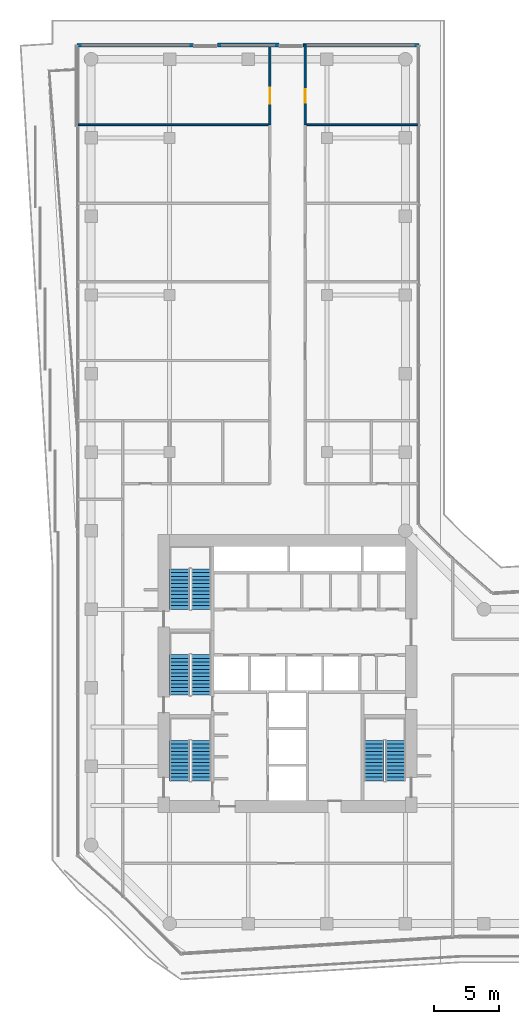
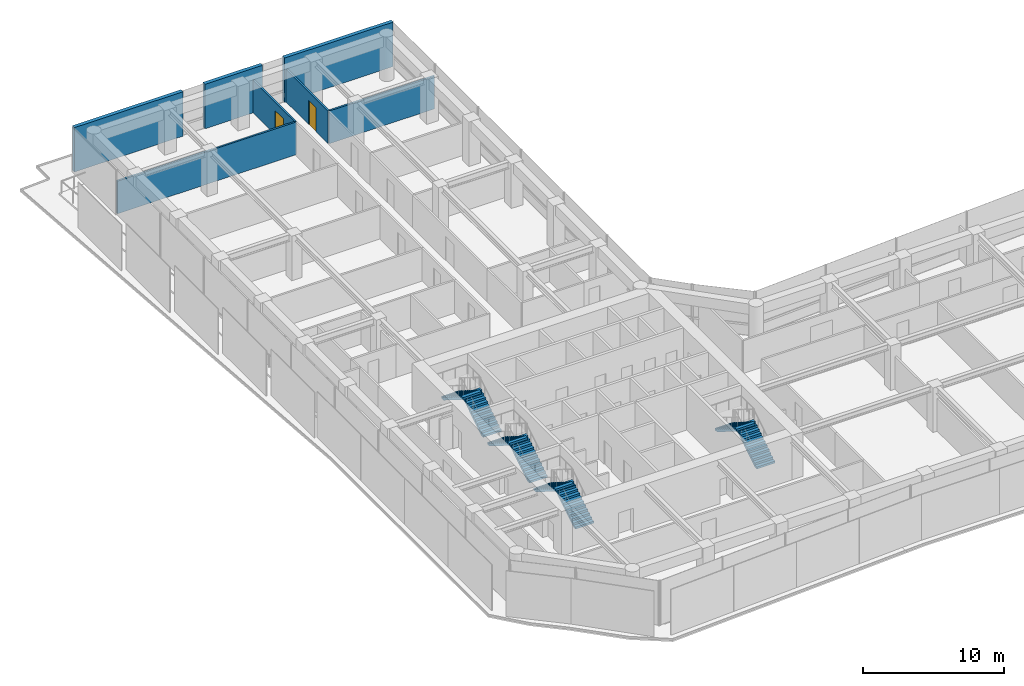
# One storey, part 27 of 29: 8 stair flights, 7 walls, 2 doors, 2 openings, 4 elements without a shape of their own.
"""IFC4 building model written with IfcOpenShell, lengths in metres."""

from ifc_helpers import new_model, si_unit, direction, frame, frame_2d, origin, place, context, subcontext, project, spatial, polyline, rectangle, outline, extrude, material, layer, layer_set, type_object, element, fill, aggregate, save


model = new_model("IFC4")

# Units and contexts
model_context = context("Model", 3, precision=1e-05, world=origin(), true_north=direction((0.0, 1.0)))
body_context = subcontext(model_context, "Body", "Model", "MODEL_VIEW")
ifc_project = project(units=[si_unit("LENGTHUNIT", "METRE"), si_unit("AREAUNIT", "SQUARE_METRE"), si_unit("VOLUMEUNIT", "CUBIC_METRE"), si_unit("PLANEANGLEUNIT", "RADIAN"), si_unit("MASSUNIT", "GRAM", prefix="KILO")], contexts=[model_context])

# Site, building, storey
site_placement = place(None, origin())
site = spatial("IfcSite", under=ifc_project, at=site_placement, CompositionType="ELEMENT")
building_placement = place(site_placement, origin())
building = spatial("IfcBuilding", under=site, at=building_placement, Name="Welwitschia Terrace Campus", CompositionType="ELEMENT")
storey_placement = place(building_placement, frame((0.0, 0.0, 66.800048828125)))
storey = spatial("IfcBuildingStorey", under=building, at=storey_placement, Name="L15", CompositionType="ELEMENT", Elevation=66.800048828125)

# Wall
ifc_material_1 = material(Name="Gypsum board on steel studs", Category="steel")
ifc_layer_1 = layer(ifc_material_1, 0.14990234375)
ifc_layer_set_1 = layer_set([ifc_layer_1], Name="Gypsum board on steel studs")
wall_type_1 = type_object("IfcWallType", Name="Corridor partition 150 EI 30", PredefinedType="PARTITIONING", material=ifc_layer_set_1)
wall_1_placement = place(storey_placement, frame((-0.992919921875, 57.0, 0.0), z_axis=(0.0, 0.0, 1.0), x_axis=(1.0, 0.0, 0.0)))
element("IfcWall", 1, at=wall_1_placement, inside=storey, type_object=wall_type_1, Name="Partition", PredefinedType="PARTITIONING", context=body_context, shape_type="SweptSolid", body=[
    extrude(rectangle(XDim=14.642822265625, YDim=0.14990234375, at=frame_2d((7.3212890625, 0.0))), origin(), (0.0, 0.0, 1.0), 2.829833984375),
])

# Wall, opening, door
wall_2_placement = place(storey_placement, frame((13.64990234375, 57.0, 0.0), z_axis=(0.0, 0.0, 1.0), x_axis=(0.0, 1.0, 0.0)))
wall_2 = element("IfcWall", 2, at=wall_2_placement, inside=storey, type_object=wall_type_1, Name="Partition", PredefinedType="PARTITIONING", context=body_context, shape_type="SweptSolid", body=[
    extrude(rectangle(XDim=6.117919921875, YDim=0.14990234375, at=frame_2d((3.05908203125, 0.0))), origin(), (0.0, 0.0, 1.0), 2.829833984375),
])
opening_1_placement = place(wall_2_placement, frame((1.610107421875, 0.0, 0.0)))
opening_1 = element("IfcOpeningElement", 3, at=opening_1_placement, cuts=wall_2, Name="Opening DI12", PredefinedType="OPENING", context=body_context, shape_type="SweptSolid", body=[
    extrude(rectangle(XDim=1.199951171875, YDim=2.10009765625, at=frame_2d((0.60009765625, 1.050048828125))), frame((0.0, 0.0849609375, 0.0), z_axis=(0.0, -1.0, 0.0), x_axis=(1.0, 0.0, 0.0)), (0.0, 0.0, 1.0), 0.169921875),
])
ifc_material_2 = material(Name="Timber veneered door", Category="wood")
door_type_1 = type_object("IfcDoorType", Name="Interior door DI12", OperationType="NOTDEFINED", PredefinedType="DOOR", material=ifc_material_2)
door_1_placement = place(opening_1_placement, origin())
door_1 = element("IfcDoor", 4, at=door_1_placement, inside=storey, type_object=door_type_1, Name="Door L15 342", OperationType="SINGLE_SWING_LEFT", OverallHeight=2.10009765625, OverallWidth=1.199951171875, PredefinedType="DOOR", context=body_context, shape_type="SweptSolid", body=[
    extrude(rectangle(XDim=1.199951171875, YDim=2.10009765625, at=frame_2d((0.60009765625, 1.050048828125))), frame((0.0, 0.02490234375, 0.0), z_axis=(0.0, -1.0, 0.0), x_axis=(1.0, 0.0, 0.0)), (0.0, 0.0, 1.0), 0.050048828125),
])
fill(opening_1, door_1)

# Wall
wall_3_placement = place(storey_placement, frame((16.35009765625, 57.0, 0.0), z_axis=(0.0, 0.0, 1.0), x_axis=(1.0, 0.0, 0.0)))
element("IfcWall", 5, at=wall_3_placement, inside=storey, type_object=wall_type_1, Name="Partition", PredefinedType="PARTITIONING", context=body_context, shape_type="SweptSolid", body=[
    extrude(rectangle(XDim=8.642822265625, YDim=0.14990234375, at=frame_2d((4.3212890625, 0.0))), origin(), (0.0, 0.0, 1.0), 2.829833984375),
])

# Wall, opening, door
wall_4_placement = place(storey_placement, frame((16.35009765625, 63.117919921875, 0.0), z_axis=(0.0, 0.0, 1.0), x_axis=(0.0, -1.0, 0.0)))
wall_4 = element("IfcWall", 6, at=wall_4_placement, inside=storey, type_object=wall_type_1, Name="Partition", PredefinedType="PARTITIONING", context=body_context, shape_type="SweptSolid", body=[
    extrude(rectangle(XDim=6.117919921875, YDim=0.14990234375, at=frame_2d((3.05908203125, 0.0))), origin(), (0.0, 0.0, 1.0), 2.829833984375),
])
opening_2_placement = place(wall_4_placement, frame((3.41796875, 0.0, 0.0)))
opening_2 = element("IfcOpeningElement", 7, at=opening_2_placement, cuts=wall_4, Name="Opening DI10", PredefinedType="OPENING", context=body_context, shape_type="SweptSolid", body=[
    extrude(rectangle(XDim=1.0, YDim=2.10009765625, at=frame_2d((0.5, 1.050048828125))), frame((0.0, 0.0849609375, 0.0), z_axis=(0.0, -1.0, 0.0), x_axis=(1.0, 0.0, 0.0)), (0.0, 0.0, 1.0), 0.169921875),
])
ifc_material_3 = material(Name="Timber veneered door", Category="wood")
door_type_2 = type_object("IfcDoorType", Name="Interior door DI10", OperationType="NOTDEFINED", PredefinedType="DOOR", material=ifc_material_3)
door_2_placement = place(opening_2_placement, origin())
door_2 = element("IfcDoor", 8, at=door_2_placement, inside=storey, type_object=door_type_2, Name="Door L15 346", OperationType="SINGLE_SWING_LEFT", OverallHeight=2.10009765625, OverallWidth=1.0, PredefinedType="DOOR", context=body_context, shape_type="SweptSolid", body=[
    extrude(rectangle(XDim=1.0, YDim=2.10009765625, at=frame_2d((0.5, 1.050048828125))), frame((0.0, 0.02490234375, 0.0), z_axis=(0.0, -1.0, 0.0), x_axis=(1.0, 0.0, 0.0)), (0.0, 0.0, 1.0), 0.050048828125),
])
fill(opening_2, door_2)

# Walls
ifc_material_4 = material(Name="Concrete C40/50", Category="concrete")
ifc_layer_2 = layer(ifc_material_4, 0.300048828125)
ifc_layer_set_2 = layer_set([ifc_layer_2], Name="Concrete C40/50")
wall_type_2 = type_object("IfcWallType", Name="Mass wall 300", PredefinedType="SOLIDWALL", material=ifc_layer_set_2)
wall_5_placement = place(storey_placement, frame((25.05810546875, 63.07373046875, 0.0), z_axis=(0.0, 0.0, 1.0), x_axis=(-1.0, 0.0, 0.0)))
element("IfcWall", 9, at=wall_5_placement, inside=storey, type_object=wall_type_2, Name="Mass wall L15.11.0", PredefinedType="SOLIDWALL", context=body_context, shape_type="SweptSolid", body=[
    extrude(rectangle(XDim=8.8935546875, YDim=0.300048828125, at=frame_2d((4.44677734375, 0.0))), origin(), (0.0, 0.0, 1.0), 3.849853515625),
])
wall_6_placement = place(storey_placement, frame((14.364501953125, 63.080078125, 0.0), z_axis=(0.0, 0.0, 1.0), x_axis=(-1.0, 0.0, 0.0)))
element("IfcWall", 10, at=wall_6_placement, inside=storey, type_object=wall_type_2, Name="Mass wall L15.11.1", PredefinedType="SOLIDWALL", context=body_context, shape_type="SweptSolid", body=[
    extrude(rectangle(XDim=4.72900390625, YDim=0.300048828125, at=frame_2d((2.364501953125, 0.0))), origin(), (0.0, 0.0, 1.0), 3.849853515625),
])
wall_7_placement = place(storey_placement, frame((7.83544921875, 63.07373046875, 0.0), z_axis=(0.0, 0.0, 1.0), x_axis=(-1.0, 0.0, 0.0)))
element("IfcWall", 11, at=wall_7_placement, inside=storey, type_object=wall_type_2, Name="Mass wall L15.11.2", PredefinedType="SOLIDWALL", context=body_context, shape_type="SweptSolid", body=[
    extrude(rectangle(XDim=8.8935546875, YDim=0.300048828125, at=frame_2d((4.44677734375, 0.0))), origin(), (0.0, 0.0, 1.0), 3.849853515625),
])

# Stair, stair flights
ifc_material_5 = material(Name="Concrete C40/50", Category="concrete")
stair_type = type_object("IfcStairType", Name="Stair 24R 175 W1500", PredefinedType="HALF_TURN_STAIR", material=ifc_material_5)
stair_1_placement = place(storey_placement, origin())
stair_1 = element("IfcStair", 12, at=stair_1_placement, inside=storey, type_object=stair_type, Name="L15 Exit stair S1", PredefinedType="HALF_TURN_STAIR")
ifc_material_6 = material(Name="Concrete C40/50", Category="concrete")
stair_flight_type = type_object("IfcStairFlightType", Name="Stair flight 24R 175 W1500", PredefinedType="STRAIGHT", material=ifc_material_6)
stair_flight_1_placement = place(storey_placement, frame((8.39990234375, 6.89990234375, 0.0), z_axis=(0.0, 0.0, 1.0), x_axis=(0.0, 1.0, 0.0)))
stair_flight_1 = element("IfcStairFlight", 13, at=stair_flight_1_placement, type_object=stair_flight_type, Name="S1 flight 1", NumberOfRisers=12, NumberOfTreads=11, PredefinedType="STRAIGHT", RiserHeight=0.175, TreadLength=0.28, context=body_context, shape_type="SweptSolid", body=[
    extrude(outline(polyline([(0.0, 0.0), (0.0, 0.175048828125), (0.280029296875, 0.175048828125), (0.280029296875, 0.35009765625), (0.56005859375, 0.35009765625), (0.56005859375, 0.52490234375), (0.840087890625, 0.52490234375), (0.840087890625, 0.699951171875), (1.1201171875, 0.699951171875), (1.1201171875, 0.875), (1.39990234375, 0.875), (1.39990234375, 1.050048828125), (1.679931640625, 1.050048828125), (1.679931640625, 1.22509765625), (1.9599609375, 1.22509765625), (1.9599609375, 1.39990234375), (2.239990234375, 1.39990234375), (2.239990234375, 1.574951171875), (2.52001953125, 1.574951171875), (2.52001953125, 1.75), (2.800048828125, 1.75), (2.800048828125, 1.925048828125), (3.080078125, 1.925048828125), (3.080078125, 2.10009765625), (3.080078125, 1.748291015625), (0.28271484375, 0.0), (0.0, 0.0)])), frame((0.0, 0.75, 0.0), z_axis=(0.0, -1.0, 0.0), x_axis=(1.0, 0.0, 0.0)), (0.0, 0.0, 1.0), 1.5),
])
stair_flight_2_placement = place(storey_placement, frame((6.75, 9.97998046875, 2.099853515625), z_axis=(0.0, 0.0, 1.0), x_axis=(0.0, -1.0, 0.0)))
stair_flight_2 = element("IfcStairFlight", 14, at=stair_flight_2_placement, type_object=stair_flight_type, Name="S1 flight 2", NumberOfRisers=12, NumberOfTreads=11, PredefinedType="STRAIGHT", RiserHeight=0.175, TreadLength=0.28, context=body_context, shape_type="SweptSolid", body=[
    extrude(outline(polyline([(0.0, 0.0), (0.0, 0.175048828125), (0.280029296875, 0.175048828125), (0.280029296875, 0.35009765625), (0.56005859375, 0.35009765625), (0.56005859375, 0.52490234375), (0.840087890625, 0.52490234375), (0.840087890625, 0.699951171875), (1.1201171875, 0.699951171875), (1.1201171875, 0.875), (1.39990234375, 0.875), (1.39990234375, 1.050048828125), (1.679931640625, 1.050048828125), (1.679931640625, 1.22509765625), (1.9599609375, 1.22509765625), (1.9599609375, 1.39990234375), (2.239990234375, 1.39990234375), (2.239990234375, 1.574951171875), (2.52001953125, 1.574951171875), (2.52001953125, 1.75), (2.800048828125, 1.75), (2.800048828125, 1.925048828125), (3.080078125, 1.925048828125), (3.080078125, 2.10009765625), (3.080078125, 1.748291015625), (0.28271484375, 0.0), (0.0, 0.0)])), frame((0.0, 0.75, 0.0), z_axis=(0.0, -1.0, 0.0), x_axis=(1.0, 0.0, 0.0)), (0.0, 0.0, 1.0), 1.5),
])
aggregate(stair_1, [stair_flight_1, stair_flight_2])

stair_2_placement = place(storey_placement, origin())
stair_2 = element("IfcStair", 15, at=stair_2_placement, inside=storey, type_object=stair_type, Name="L15 Exit stair S3", PredefinedType="HALF_TURN_STAIR")
stair_flight_3_placement = place(storey_placement, frame((8.39990234375, 13.449951171875, 0.0), z_axis=(0.0, 0.0, 1.0), x_axis=(0.0, 1.0, 0.0)))
stair_flight_3 = element("IfcStairFlight", 16, at=stair_flight_3_placement, type_object=stair_flight_type, Name="S3 flight 1", NumberOfRisers=12, NumberOfTreads=11, PredefinedType="STRAIGHT", RiserHeight=0.175, TreadLength=0.28, context=body_context, shape_type="SweptSolid", body=[
    extrude(outline(polyline([(0.0, 0.0), (0.0, 0.175048828125), (0.280029296875, 0.175048828125), (0.280029296875, 0.35009765625), (0.56005859375, 0.35009765625), (0.56005859375, 0.52490234375), (0.840087890625, 0.52490234375), (0.840087890625, 0.699951171875), (1.1201171875, 0.699951171875), (1.1201171875, 0.875), (1.39990234375, 0.875), (1.39990234375, 1.050048828125), (1.679931640625, 1.050048828125), (1.679931640625, 1.22509765625), (1.9599609375, 1.22509765625), (1.9599609375, 1.39990234375), (2.239990234375, 1.39990234375), (2.239990234375, 1.574951171875), (2.52001953125, 1.574951171875), (2.52001953125, 1.75), (2.800048828125, 1.75), (2.800048828125, 1.925048828125), (3.080078125, 1.925048828125), (3.080078125, 2.10009765625), (3.080078125, 1.748291015625), (0.28271484375, 0.0), (0.0, 0.0)])), frame((0.0, 0.75, 0.0), z_axis=(0.0, -1.0, 0.0), x_axis=(1.0, 0.0, 0.0)), (0.0, 0.0, 1.0), 1.5),
])
stair_flight_4_placement = place(storey_placement, frame((6.75, 16.530029296875, 2.099853515625), z_axis=(0.0, 0.0, 1.0), x_axis=(0.0, -1.0, 0.0)))
stair_flight_4 = element("IfcStairFlight", 17, at=stair_flight_4_placement, type_object=stair_flight_type, Name="S3 flight 2", NumberOfRisers=12, NumberOfTreads=11, PredefinedType="STRAIGHT", RiserHeight=0.175, TreadLength=0.28, context=body_context, shape_type="SweptSolid", body=[
    extrude(outline(polyline([(0.0, 0.0), (0.0, 0.175048828125), (0.280029296875, 0.175048828125), (0.280029296875, 0.35009765625), (0.56005859375, 0.35009765625), (0.56005859375, 0.52490234375), (0.840087890625, 0.52490234375), (0.840087890625, 0.699951171875), (1.1201171875, 0.699951171875), (1.1201171875, 0.875), (1.39990234375, 0.875), (1.39990234375, 1.050048828125), (1.679931640625, 1.050048828125), (1.679931640625, 1.22509765625), (1.9599609375, 1.22509765625), (1.9599609375, 1.39990234375), (2.239990234375, 1.39990234375), (2.239990234375, 1.574951171875), (2.52001953125, 1.574951171875), (2.52001953125, 1.75), (2.800048828125, 1.75), (2.800048828125, 1.925048828125), (3.080078125, 1.925048828125), (3.080078125, 2.10009765625), (3.080078125, 1.748291015625), (0.28271484375, 0.0), (0.0, 0.0)])), frame((0.0, 0.75, 0.0), z_axis=(0.0, -1.0, 0.0), x_axis=(1.0, 0.0, 0.0)), (0.0, 0.0, 1.0), 1.5),
])
aggregate(stair_2, [stair_flight_3, stair_flight_4])

stair_3_placement = place(storey_placement, origin())
stair_3 = element("IfcStair", 18, at=stair_3_placement, inside=storey, type_object=stair_type, Name="L15 Exit stair S4", PredefinedType="HALF_TURN_STAIR")
stair_flight_5_placement = place(storey_placement, frame((8.39990234375, 20.0, 0.0), z_axis=(0.0, 0.0, 1.0), x_axis=(0.0, 1.0, 0.0)))
stair_flight_5 = element("IfcStairFlight", 19, at=stair_flight_5_placement, type_object=stair_flight_type, Name="S4 flight 1", NumberOfRisers=12, NumberOfTreads=11, PredefinedType="STRAIGHT", RiserHeight=0.175, TreadLength=0.28, context=body_context, shape_type="SweptSolid", body=[
    extrude(outline(polyline([(0.0, 0.0), (0.0, 0.175048828125), (0.280029296875, 0.175048828125), (0.280029296875, 0.35009765625), (0.56005859375, 0.35009765625), (0.56005859375, 0.52490234375), (0.840087890625, 0.52490234375), (0.840087890625, 0.699951171875), (1.1201171875, 0.699951171875), (1.1201171875, 0.875), (1.39990234375, 0.875), (1.39990234375, 1.050048828125), (1.679931640625, 1.050048828125), (1.679931640625, 1.22509765625), (1.9599609375, 1.22509765625), (1.9599609375, 1.39990234375), (2.239990234375, 1.39990234375), (2.239990234375, 1.574951171875), (2.52001953125, 1.574951171875), (2.52001953125, 1.75), (2.800048828125, 1.75), (2.800048828125, 1.925048828125), (3.080078125, 1.925048828125), (3.080078125, 2.10009765625), (3.080078125, 1.748291015625), (0.28271484375, 0.0), (0.0, 0.0)])), frame((0.0, 0.75, 0.0), z_axis=(0.0, -1.0, 0.0), x_axis=(1.0, 0.0, 0.0)), (0.0, 0.0, 1.0), 1.5),
])
stair_flight_6_placement = place(storey_placement, frame((6.75, 23.080078125, 2.099853515625), z_axis=(0.0, 0.0, 1.0), x_axis=(0.0, -1.0, 0.0)))
stair_flight_6 = element("IfcStairFlight", 20, at=stair_flight_6_placement, type_object=stair_flight_type, Name="S4 flight 2", NumberOfRisers=12, NumberOfTreads=11, PredefinedType="STRAIGHT", RiserHeight=0.175, TreadLength=0.28, context=body_context, shape_type="SweptSolid", body=[
    extrude(outline(polyline([(0.0, 0.0), (0.0, 0.175048828125), (0.280029296875, 0.175048828125), (0.280029296875, 0.35009765625), (0.56005859375, 0.35009765625), (0.56005859375, 0.52490234375), (0.840087890625, 0.52490234375), (0.840087890625, 0.699951171875), (1.1201171875, 0.699951171875), (1.1201171875, 0.875), (1.39990234375, 0.875), (1.39990234375, 1.050048828125), (1.679931640625, 1.050048828125), (1.679931640625, 1.22509765625), (1.9599609375, 1.22509765625), (1.9599609375, 1.39990234375), (2.239990234375, 1.39990234375), (2.239990234375, 1.574951171875), (2.52001953125, 1.574951171875), (2.52001953125, 1.75), (2.800048828125, 1.75), (2.800048828125, 1.925048828125), (3.080078125, 1.925048828125), (3.080078125, 2.10009765625), (3.080078125, 1.748291015625), (0.28271484375, 0.0), (0.0, 0.0)])), frame((0.0, 0.75, 0.0), z_axis=(0.0, -1.0, 0.0), x_axis=(1.0, 0.0, 0.0)), (0.0, 0.0, 1.0), 1.5),
])
aggregate(stair_3, [stair_flight_5, stair_flight_6])

stair_4_placement = place(storey_placement, origin())
stair_4 = element("IfcStair", 21, at=stair_4_placement, inside=storey, type_object=stair_type, Name="L15 Exit stair S2", PredefinedType="HALF_TURN_STAIR")
stair_flight_7_placement = place(storey_placement, frame((23.25, 6.89990234375, 0.0), z_axis=(0.0, 0.0, 1.0), x_axis=(0.0, 1.0, 0.0)))
stair_flight_7 = element("IfcStairFlight", 22, at=stair_flight_7_placement, type_object=stair_flight_type, Name="S2 flight 1", NumberOfRisers=12, NumberOfTreads=11, PredefinedType="STRAIGHT", RiserHeight=0.175, TreadLength=0.28, context=body_context, shape_type="SweptSolid", body=[
    extrude(outline(polyline([(0.0, 0.0), (0.0, 0.175048828125), (0.280029296875, 0.175048828125), (0.280029296875, 0.35009765625), (0.56005859375, 0.35009765625), (0.56005859375, 0.52490234375), (0.840087890625, 0.52490234375), (0.840087890625, 0.699951171875), (1.1201171875, 0.699951171875), (1.1201171875, 0.875), (1.39990234375, 0.875), (1.39990234375, 1.050048828125), (1.679931640625, 1.050048828125), (1.679931640625, 1.22509765625), (1.9599609375, 1.22509765625), (1.9599609375, 1.39990234375), (2.239990234375, 1.39990234375), (2.239990234375, 1.574951171875), (2.52001953125, 1.574951171875), (2.52001953125, 1.75), (2.800048828125, 1.75), (2.800048828125, 1.925048828125), (3.080078125, 1.925048828125), (3.080078125, 2.10009765625), (3.080078125, 1.748291015625), (0.28271484375, 0.0), (0.0, 0.0)])), frame((0.0, 0.75, 0.0), z_axis=(0.0, -1.0, 0.0), x_axis=(1.0, 0.0, 0.0)), (0.0, 0.0, 1.0), 1.5),
])
stair_flight_8_placement = place(storey_placement, frame((21.60009765625, 9.97998046875, 2.099853515625), z_axis=(0.0, 0.0, 1.0), x_axis=(0.0, -1.0, 0.0)))
stair_flight_8 = element("IfcStairFlight", 23, at=stair_flight_8_placement, type_object=stair_flight_type, Name="S2 flight 2", NumberOfRisers=12, NumberOfTreads=11, PredefinedType="STRAIGHT", RiserHeight=0.175, TreadLength=0.28, context=body_context, shape_type="SweptSolid", body=[
    extrude(outline(polyline([(0.0, 0.0), (0.0, 0.175048828125), (0.280029296875, 0.175048828125), (0.280029296875, 0.35009765625), (0.56005859375, 0.35009765625), (0.56005859375, 0.52490234375), (0.840087890625, 0.52490234375), (0.840087890625, 0.699951171875), (1.1201171875, 0.699951171875), (1.1201171875, 0.875), (1.39990234375, 0.875), (1.39990234375, 1.050048828125), (1.679931640625, 1.050048828125), (1.679931640625, 1.22509765625), (1.9599609375, 1.22509765625), (1.9599609375, 1.39990234375), (2.239990234375, 1.39990234375), (2.239990234375, 1.574951171875), (2.52001953125, 1.574951171875), (2.52001953125, 1.75), (2.800048828125, 1.75), (2.800048828125, 1.925048828125), (3.080078125, 1.925048828125), (3.080078125, 2.10009765625), (3.080078125, 1.748291015625), (0.28271484375, 0.0), (0.0, 0.0)])), frame((0.0, 0.75, 0.0), z_axis=(0.0, -1.0, 0.0), x_axis=(1.0, 0.0, 0.0)), (0.0, 0.0, 1.0), 1.5),
])
aggregate(stair_4, [stair_flight_7, stair_flight_8])

save(model, "model.ifc")
